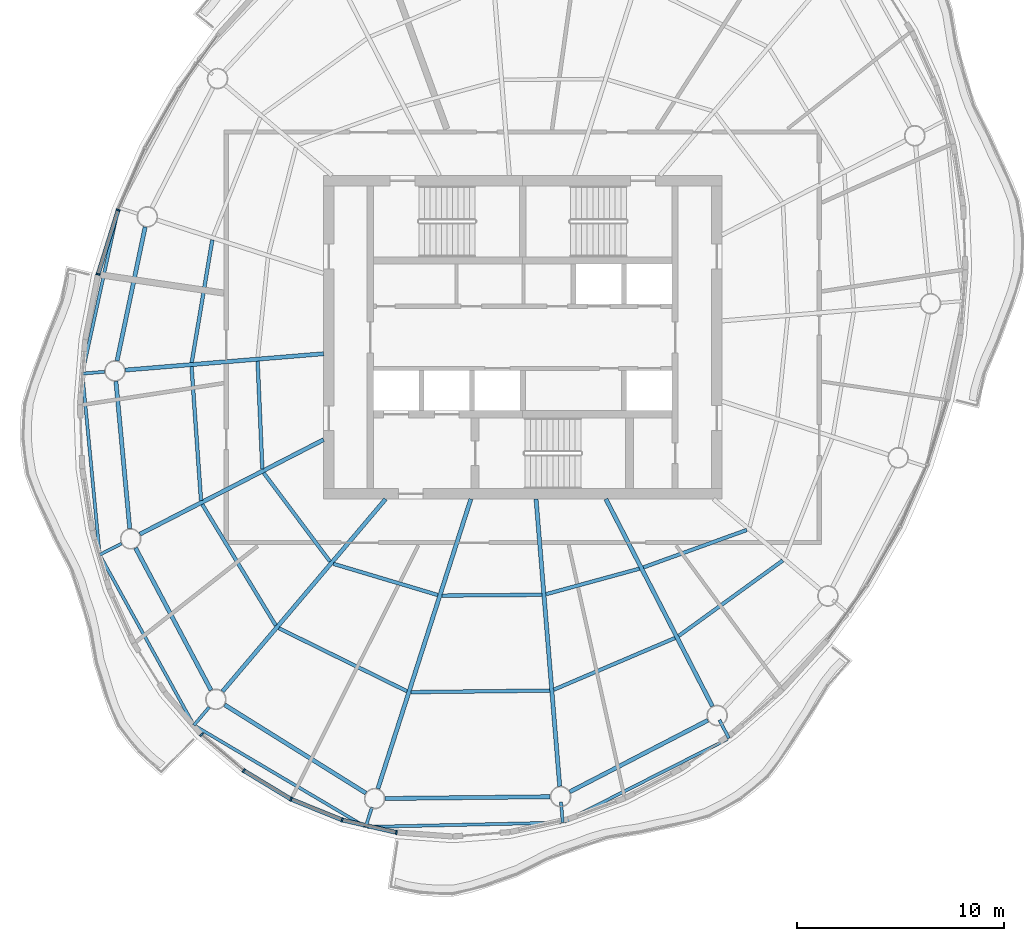
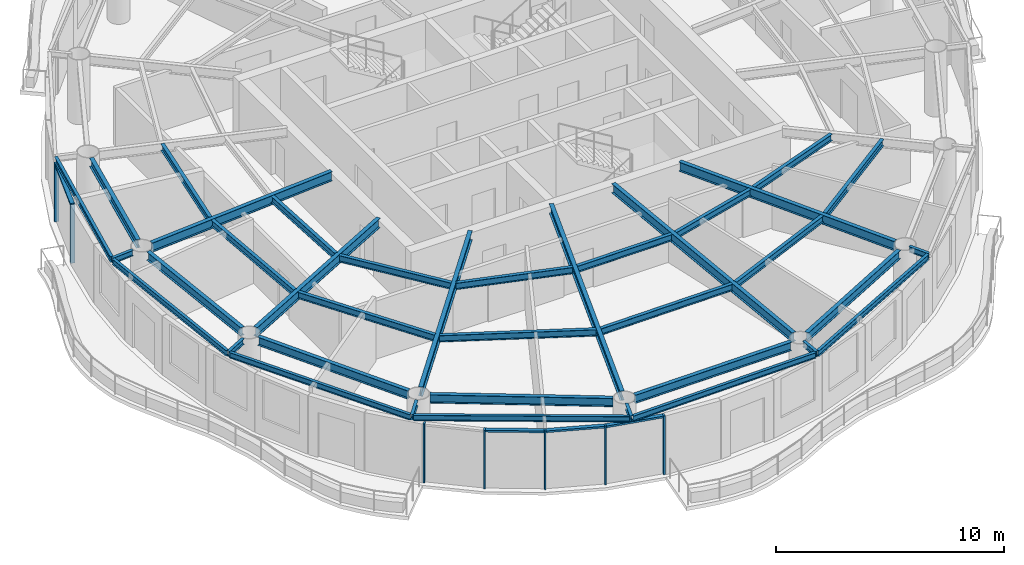
# One storey, part 2 of 13: 37 beams, 11 members, 5 elements without a shape of their own.
"""IFC4 building model written with IfcOpenShell, lengths in metres."""

from ifc_helpers import new_model, si_unit, direction, frame, origin, origin_2d, place, context, subcontext, project, spatial, rectangle, i_section, extrude, material, material_profile, profile_set, type_object, element, aggregate, save


model = new_model("IFC4")

# Units and contexts
model_context = context("Model", 3, precision=1e-05, world=origin(), true_north=direction((0.0, 1.0)))
body_context = subcontext(model_context, "Body", "Model", "MODEL_VIEW")
ifc_project = project(units=[si_unit("LENGTHUNIT", "METRE"), si_unit("AREAUNIT", "SQUARE_METRE"), si_unit("VOLUMEUNIT", "CUBIC_METRE"), si_unit("PLANEANGLEUNIT", "RADIAN"), si_unit("MASSUNIT", "GRAM", prefix="KILO")], contexts=[model_context])

# Site, building, storey
site_placement = place(None, origin())
site = spatial("IfcSite", under=ifc_project, at=site_placement, CompositionType="ELEMENT")
building_placement = place(site_placement, origin())
building = spatial("IfcBuilding", under=site, at=building_placement, Name="Vermilion Reach Broadcast Tower", CompositionType="ELEMENT")
storey_placement = place(building_placement, frame((0.0, 0.0, 286.5)))
storey = spatial("IfcBuildingStorey", under=building, at=storey_placement, Name="L71", CompositionType="ELEMENT", Elevation=286.5)

# Beams
ifc_material_1 = material(Name="Steel S355J2", Category="steel")
ifc_material_profile_1 = material_profile(ifc_material_1, i_section(OverallWidth=0.14990234375, OverallDepth=0.300048828125, WebThickness=0.006591796875, FlangeThickness=0.009033203125, at=origin_2d()), Name="S355J2 HN 300x150x6.5x9")
ifc_profile_set_1 = profile_set([ifc_material_profile_1], Name="Steel S355J2")
beam_type_1 = type_object("IfcBeamType", Name="EB5 HN 300x150x6.5x9", PredefinedType="BEAM", material=ifc_profile_set_1)
beam_1_placement = place(storey_placement, frame((-25.51171875, 6.18212890625, 3.300048828125), z_axis=(-0.21241325285, -0.977179927144, 0.0), x_axis=(0.977179927144, -0.21241325285, 0.0)))
element("IfcBeam", 1, at=beam_1_placement, inside=storey, type_object=beam_type_1, Name="Edge beam EB5-05", PredefinedType="BEAM", context=body_context, shape_type="SweptSolid", body=[
    extrude(i_section(OverallWidth=0.14990234375, OverallDepth=0.300048828125, WebThickness=0.006591796875, FlangeThickness=0.009033203125, at=origin_2d()), origin(), (0.0, 0.0, 1.0), 8.03857421875),
])
beam_2_placement = place(storey_placement, frame((-27.228759765625, -1.82421875, 3.300048828125), z_axis=(0.094917299259, -0.995485161266, 0.0), x_axis=(0.995485161266, 0.094917299259, 0.0)))
element("IfcBeam", 2, at=beam_2_placement, inside=storey, type_object=beam_type_1, Name="Edge beam EB5-06", PredefinedType="BEAM", context=body_context, shape_type="SweptSolid", body=[
    extrude(i_section(OverallWidth=0.14990234375, OverallDepth=0.300048828125, WebThickness=0.006591796875, FlangeThickness=0.009033203125, at=origin_2d()), origin(), (0.0, 0.0, 1.0), 8.624267578125),
])
beam_3_placement = place(storey_placement, frame((-26.3662109375, -10.5556640625, 3.300048828125), z_axis=(0.483780975523, -0.875189103978, 0.0), x_axis=(0.875189103978, 0.483780975523, 0.0)))
element("IfcBeam", 3, at=beam_3_placement, inside=storey, type_object=beam_type_1, Name="Edge beam EB5-07", PredefinedType="BEAM", context=body_context, shape_type="SweptSolid", body=[
    extrude(i_section(OverallWidth=0.14990234375, OverallDepth=0.300048828125, WebThickness=0.006591796875, FlangeThickness=0.009033203125, at=origin_2d()), origin(), (0.0, 0.0, 1.0), 9.234619140625),
])
beam_4_placement = place(storey_placement, frame((-21.79443359375, -18.74658203125, 3.300048828125), z_axis=(0.860491146518, -0.509465393097, 0.0), x_axis=(0.509465393097, 0.860491146518, 0.0)))
element("IfcBeam", 4, at=beam_4_placement, inside=storey, type_object=beam_type_1, Name="Edge beam EB5-08", PredefinedType="BEAM", context=body_context, shape_type="SweptSolid", body=[
    extrude(i_section(OverallWidth=0.14990234375, OverallDepth=0.300048828125, WebThickness=0.006591796875, FlangeThickness=0.009033203125, at=origin_2d()), origin(), (0.0, 0.0, 1.0), 9.473388671875),
])
beam_5_placement = place(storey_placement, frame((-13.4970703125, -23.6103515625, 3.300048828125), z_axis=(0.999756106831, 0.022084538785, 0.0), x_axis=(-0.022084538785, 0.999756106831, 0.0)))
element("IfcBeam", 5, at=beam_5_placement, inside=storey, type_object=beam_type_1, Name="Edge beam EB5-09", PredefinedType="BEAM", context=body_context, shape_type="SweptSolid", body=[
    extrude(i_section(OverallWidth=0.14990234375, OverallDepth=0.300048828125, WebThickness=0.006591796875, FlangeThickness=0.009033203125, at=origin_2d()), origin(), (0.0, 0.0, 1.0), 9.352294921875),
])
beam_6_placement = place(storey_placement, frame((-3.999755859375, -23.365478515625, 3.300048828125), z_axis=(0.892020021108, 0.451995887086, 0.0), x_axis=(-0.451995887086, 0.892020021108, 0.0)))
element("IfcBeam", 6, at=beam_6_placement, inside=storey, type_object=beam_type_1, Name="Edge beam EB5-10", PredefinedType="BEAM", context=body_context, shape_type="SweptSolid", body=[
    extrude(i_section(OverallWidth=0.14990234375, OverallDepth=0.300048828125, WebThickness=0.006591796875, FlangeThickness=0.009033203125, at=origin_2d()), origin(), (0.0, 0.0, 1.0), 8.830078125),
])
ifc_material_2 = material(Name="Steel S355J2", Category="steel")
ifc_material_profile_2 = material_profile(ifc_material_2, i_section(OverallWidth=0.199951171875, OverallDepth=0.5, WebThickness=0.010009765625, FlangeThickness=0.01611328125, at=origin_2d()), Name="S355J2 HN 500x200x10x16")
ifc_profile_set_2 = profile_set([ifc_material_profile_2], Name="Steel S355J2")
beam_type_2 = type_object("IfcBeamType", Name="G5 HN 500x200x10x16", PredefinedType="BEAM", material=ifc_profile_set_2)
beam_7_placement = place(storey_placement, frame((-15.60009765625, -0.791015625, 3.199951171875), z_axis=(-0.996624410075, -0.082096195058, 0.0), x_axis=(0.082096195058, -0.996624410075, 0.0)))
element("IfcBeam", 7, at=beam_7_placement, inside=storey, type_object=beam_type_2, Name="Girder G5-06", PredefinedType="BEAM", context=body_context, shape_type="SweptSolid", body=[
    extrude(i_section(OverallWidth=0.199951171875, OverallDepth=0.5, WebThickness=0.010009765625, FlangeThickness=0.01611328125, at=origin_2d()), origin(), (0.0, 0.0, 1.0), 9.599609375),
])
beam_8_placement = place(storey_placement, frame((-15.60009765625, -4.935791015625, 3.199951171875), z_axis=(-0.889332502449, -0.457261085254, 0.0), x_axis=(0.457261085254, -0.889332502449, 0.0)))
element("IfcBeam", 8, at=beam_8_placement, inside=storey, type_object=beam_type_2, Name="Girder G5-07", PredefinedType="BEAM", context=body_context, shape_type="SweptSolid", body=[
    extrude(i_section(OverallWidth=0.199951171875, OverallDepth=0.5, WebThickness=0.010009765625, FlangeThickness=0.01611328125, at=origin_2d()), origin(), (0.0, 0.0, 1.0), 9.96337890625),
])
beam_9_placement = place(storey_placement, frame((-12.612548828125, -7.800048828125, 3.199951171875), z_axis=(-0.646658335602, -0.762779782766, 0.0), x_axis=(0.762779782766, -0.646658335602, 0.0)))
element("IfcBeam", 9, at=beam_9_placement, inside=storey, type_object=beam_type_2, Name="Girder G5-08", PredefinedType="BEAM", context=body_context, shape_type="SweptSolid", body=[
    extrude(i_section(OverallWidth=0.199951171875, OverallDepth=0.5, WebThickness=0.010009765625, FlangeThickness=0.01611328125, at=origin_2d()), origin(), (0.0, 0.0, 1.0), 12.16064453125),
])
beam_10_placement = place(storey_placement, frame((-8.502685546875, -7.800048828125, 3.199951171875), z_axis=(-0.305545401295, -0.952177508528, 0.0), x_axis=(0.952177508528, -0.305545401295, 0.0)))
element("IfcBeam", 10, at=beam_10_placement, inside=storey, type_object=beam_type_2, Name="Girder G5-09", PredefinedType="BEAM", context=body_context, shape_type="SweptSolid", body=[
    extrude(i_section(OverallWidth=0.199951171875, OverallDepth=0.5, WebThickness=0.010009765625, FlangeThickness=0.01611328125, at=origin_2d()), origin(), (0.0, 0.0, 1.0), 14.672607421875),
])
beam_11_placement = place(storey_placement, frame((-5.357421875, -7.800048828125, 3.199951171875), z_axis=(0.082123744247, -0.996622140347, 0.0), x_axis=(0.996622140347, 0.082123744247, 0.0)))
element("IfcBeam", 11, at=beam_11_placement, inside=storey, type_object=beam_type_2, Name="Girder G5-10", PredefinedType="BEAM", context=body_context, shape_type="SweptSolid", body=[
    extrude(i_section(OverallWidth=0.199951171875, OverallDepth=0.5, WebThickness=0.010009765625, FlangeThickness=0.01611328125, at=origin_2d()), origin(), (0.0, 0.0, 1.0), 13.89794921875),
])
beam_12_placement = place(storey_placement, frame((-1.989501953125, -7.800048828125, 3.199951171875), z_axis=(0.457258168112, -0.889334002327, 0.0), x_axis=(0.889334002327, 0.457258168112, 0.0)))
element("IfcBeam", 12, at=beam_12_placement, inside=storey, type_object=beam_type_2, Name="Girder G5-11", PredefinedType="BEAM", context=body_context, shape_type="SweptSolid", body=[
    extrude(i_section(OverallWidth=0.199951171875, OverallDepth=0.5, WebThickness=0.010009765625, FlangeThickness=0.01611328125, at=origin_2d()), origin(), (0.0, 0.0, 1.0), 11.236328125),
])
ifc_material_3 = material(Name="Steel S355J2", Category="steel")
ifc_material_profile_3 = material_profile(ifc_material_3, i_section(OverallWidth=0.14990234375, OverallDepth=0.300048828125, WebThickness=0.006591796875, FlangeThickness=0.009033203125, at=origin_2d()), Name="S355J2 HN 300x150x6.5x9")
ifc_profile_set_3 = profile_set([ifc_material_profile_3], Name="Steel S355J2")
beam_type_3 = type_object("IfcBeamType", Name="GS5 HN 300x150x6.5x9", PredefinedType="BEAM", material=ifc_profile_set_3)
beam_13_placement = place(storey_placement, frame((-26.1640625, -1.661376953125, 3.300048828125), z_axis=(-0.996617403603, -0.082181207313, 0.0), x_axis=(0.082181207313, -0.996617403603, 0.0)))
element("IfcBeam", 13, at=beam_13_placement, inside=storey, type_object=beam_type_3, Name="Cantilever stub GS5-06", PredefinedType="BEAM", context=body_context, shape_type="SweptSolid", body=[
    extrude(i_section(OverallWidth=0.14990234375, OverallDepth=0.300048828125, WebThickness=0.006591796875, FlangeThickness=0.009033203125, at=origin_2d()), origin(), (0.0, 0.0, 1.0), 1.075439453125),
])
beam_14_placement = place(storey_placement, frame((-25.35009765625, -9.948974609375, 3.300048828125), z_axis=(-0.889378883648, -0.457170866658, 0.0), x_axis=(0.457170866658, -0.889378883648, 0.0)))
element("IfcBeam", 14, at=beam_14_placement, inside=storey, type_object=beam_type_3, Name="Cantilever stub GS5-07", PredefinedType="BEAM", context=body_context, shape_type="SweptSolid", body=[
    extrude(i_section(OverallWidth=0.14990234375, OverallDepth=0.300048828125, WebThickness=0.006591796875, FlangeThickness=0.009033203125, at=origin_2d()), origin(), (0.0, 0.0, 1.0), 1.183349609375),
])
beam_15_placement = place(storey_placement, frame((-21.123046875, -17.838623046875, 3.300048828125), z_axis=(-0.646547054525, -0.762874109067, 0.0), x_axis=(0.762874109067, -0.646547054525, 0.0)))
element("IfcBeam", 15, at=beam_15_placement, inside=storey, type_object=beam_type_3, Name="Cantilever stub GS5-08", PredefinedType="BEAM", context=body_context, shape_type="SweptSolid", body=[
    extrude(i_section(OverallWidth=0.14990234375, OverallDepth=0.300048828125, WebThickness=0.006591796875, FlangeThickness=0.009033203125, at=origin_2d()), origin(), (0.0, 0.0, 1.0), 1.1396484375),
])
for number, where, z_axis, x_axis, name in (
    (16, (-13.27099609375, -22.659912109375, 3.300048828125), (-0.305440085295, -0.952211297084, 0.0), (0.952211297084, -0.305440085295, 0.0), "Cantilever stub GS5-09"),
    (17, (-4.154052734375, -22.405517578125, 3.300048828125), (0.082277653912, -0.996609445905, 0.0), (0.996609445905, 0.082277653912, 0.0), "Cantilever stub GS5-10"),
    (18, (3.486572265625, -18.450927734375, 3.300048828125), (0.457243204998, -0.889341695572, 0.0), (0.889341695572, 0.457243204998, 0.0), "Cantilever stub GS5-11"),
):
    element("IfcBeam", number, at=place(storey_placement, frame(where, z_axis=z_axis, x_axis=x_axis)), inside=storey, type_object=beam_type_3, Name=name, PredefinedType="BEAM", context=body_context, shape_type="SweptSolid", body=[
        extrude(i_section(OverallWidth=0.14990234375, OverallDepth=0.300048828125, WebThickness=0.006591796875, FlangeThickness=0.009033203125, at=origin_2d()), origin(), (0.0, 0.0, 1.0), 1.0),
    ])
ifc_material_4 = material(Name="Steel S355J2", Category="steel")
ifc_material_profile_4 = material_profile(ifc_material_4, i_section(OverallWidth=0.199951171875, OverallDepth=0.449951171875, WebThickness=0.009033203125, FlangeThickness=0.013916015625, at=origin_2d()), Name="S355J2 HN 450x200x9x14")
ifc_profile_set_4 = profile_set([ifc_material_profile_4], Name="Steel S355J2")
beam_type_4 = type_object("IfcBeamType", Name="RB5 HN 450x200x9x14", PredefinedType="BEAM", material=ifc_profile_set_4)
beam_16_placement = place(storey_placement, frame((-24.208740234375, 5.3203125, 3.22509765625), z_axis=(-0.205444869285, -0.978668690459, 0.0), x_axis=(0.978668690459, -0.205444869285, 0.0)))
element("IfcBeam", 19, at=beam_16_placement, inside=storey, type_object=beam_type_4, Name="Ring beam RB5-05", PredefinedType="BEAM", context=body_context, shape_type="SweptSolid", body=[
    extrude(i_section(OverallWidth=0.199951171875, OverallDepth=0.449951171875, WebThickness=0.009033203125, FlangeThickness=0.013916015625, at=origin_2d()), origin(), (0.0, 0.0, 1.0), 6.591796875),
])
beam_17_placement = place(storey_placement, frame((-25.618896484375, -2.1181640625, 3.22509765625), z_axis=(0.093441399272, -0.995624781181, 0.0), x_axis=(0.995624781181, 0.093441399272, 0.0)))
element("IfcBeam", 20, at=beam_17_placement, inside=storey, type_object=beam_type_4, Name="Ring beam RB5-06", PredefinedType="BEAM", context=body_context, shape_type="SweptSolid", body=[
    extrude(i_section(OverallWidth=0.199951171875, OverallDepth=0.449951171875, WebThickness=0.009033203125, FlangeThickness=0.013916015625, at=origin_2d()), origin(), (0.0, 0.0, 1.0), 7.135498046875),
])
beam_18_placement = place(storey_placement, frame((-24.671142578125, -10.161865234375, 3.22509765625), z_axis=(0.468767917375, -0.883321368269, 0.0), x_axis=(0.883321368269, 0.468767917375, 0.0)))
element("IfcBeam", 21, at=beam_18_placement, inside=storey, type_object=beam_type_4, Name="Ring beam RB5-07", PredefinedType="BEAM", context=body_context, shape_type="SweptSolid", body=[
    extrude(i_section(OverallWidth=0.199951171875, OverallDepth=0.449951171875, WebThickness=0.009033203125, FlangeThickness=0.013916015625, at=origin_2d()), origin(), (0.0, 0.0, 1.0), 7.759033203125),
])
beam_19_placement = place(storey_placement, frame((-20.375732421875, -17.722412109375, 3.22509765625), z_axis=(0.847914653245, -0.530132757724, 0.0), x_axis=(0.530132757724, 0.847914653245, 0.0)))
element("IfcBeam", 22, at=beam_19_placement, inside=storey, type_object=beam_type_4, Name="Ring beam RB5-08", PredefinedType="BEAM", context=body_context, shape_type="SweptSolid", body=[
    extrude(i_section(OverallWidth=0.199951171875, OverallDepth=0.449951171875, WebThickness=0.009033203125, FlangeThickness=0.013916015625, at=origin_2d()), origin(), (0.0, 0.0, 1.0), 8.035400390625),
])
beam_20_placement = place(storey_placement, frame((-12.638427734375, -22.24169921875, 3.22509765625), z_axis=(0.999940445231, 0.010913569149, 0.0), x_axis=(-0.010913569149, 0.999940445231, 0.0)))
element("IfcBeam", 23, at=beam_20_placement, inside=storey, type_object=beam_type_4, Name="Ring beam RB5-09", PredefinedType="BEAM", context=body_context, shape_type="SweptSolid", body=[
    extrude(i_section(OverallWidth=0.199951171875, OverallDepth=0.449951171875, WebThickness=0.009033203125, FlangeThickness=0.013916015625, at=origin_2d()), origin(), (0.0, 0.0, 1.0), 7.9638671875),
])
beam_21_placement = place(storey_placement, frame((-3.731201171875, -21.91943359375, 3.22509765625), z_axis=(0.887960248279, 0.459920207729, 0.0), x_axis=(-0.459920207729, 0.887960248279, 0.0)))
element("IfcBeam", 24, at=beam_21_placement, inside=storey, type_object=beam_type_4, Name="Ring beam RB5-10", PredefinedType="BEAM", context=body_context, shape_type="SweptSolid", body=[
    extrude(i_section(OverallWidth=0.199951171875, OverallDepth=0.449951171875, WebThickness=0.009033203125, FlangeThickness=0.013916015625, at=origin_2d()), origin(), (0.0, 0.0, 1.0), 7.5048828125),
])
ifc_material_5 = material(Name="Steel S355J2", Category="steel")
ifc_material_profile_5 = material_profile(ifc_material_5, i_section(OverallWidth=0.175048828125, OverallDepth=0.35009765625, WebThickness=0.007080078125, FlangeThickness=0.010986328125, at=origin_2d()), Name="S355J2 HN 350x175x7x11")
ifc_profile_set_5 = profile_set([ifc_material_profile_5], Name="Steel S355J2")
beam_type_5 = type_object("IfcBeamType", Name="SB5 HN 350x175x7x11", PredefinedType="BEAM", material=ifc_profile_set_5)
beam_22_placement = place(storey_placement, frame((-20.969970703125, 4.698486328125, 3.27490234375), z_axis=(-0.16532337011, -0.986239414795, 0.0), x_axis=(0.986239414795, -0.16532337011, 0.0)))
element("IfcBeam", 25, at=beam_22_placement, inside=storey, type_object=beam_type_5, Name="Secondary beam SB5-05-2", PredefinedType="BEAM", context=body_context, shape_type="SweptSolid", body=[
    extrude(i_section(OverallWidth=0.175048828125, OverallDepth=0.35009765625, WebThickness=0.007080078125, FlangeThickness=0.010986328125, at=origin_2d()), origin(), (0.0, 0.0, 1.0), 5.99560546875),
])
beam_23_placement = place(storey_placement, frame((-18.78466796875, -1.153564453125, 3.27490234375), z_axis=(0.043557530017, -0.999050920413, 0.0), x_axis=(0.999050920413, 0.043557530017, 0.0)))
element("IfcBeam", 26, at=beam_23_placement, inside=storey, type_object=beam_type_5, Name="Secondary beam SB5-06-1", PredefinedType="BEAM", context=body_context, shape_type="SweptSolid", body=[
    extrude(i_section(OverallWidth=0.175048828125, OverallDepth=0.35009765625, WebThickness=0.007080078125, FlangeThickness=0.010986328125, at=origin_2d()), origin(), (0.0, 0.0, 1.0), 5.19580078125),
])
beam_24_placement = place(storey_placement, frame((-21.97119140625, -1.416259765625, 3.27490234375), z_axis=(0.070586780458, -0.997505642302, 0.0), x_axis=(0.997505642302, 0.070586780458, 0.0)))
element("IfcBeam", 27, at=beam_24_placement, inside=storey, type_object=beam_type_5, Name="Secondary beam SB5-06-2", PredefinedType="BEAM", context=body_context, shape_type="SweptSolid", body=[
    extrude(i_section(OverallWidth=0.175048828125, OverallDepth=0.35009765625, WebThickness=0.007080078125, FlangeThickness=0.010986328125, at=origin_2d()), origin(), (0.0, 0.0, 1.0), 6.46435546875),
])
beam_25_placement = place(storey_placement, frame((-18.492919921875, -6.53564453125, 3.27490234375), z_axis=(0.599055582645, -0.800707442767, 0.0), x_axis=(0.800707442767, 0.599055582645, 0.0)))
element("IfcBeam", 28, at=beam_25_placement, inside=storey, type_object=beam_type_5, Name="Secondary beam SB5-07-1", PredefinedType="BEAM", context=body_context, shape_type="SweptSolid", body=[
    extrude(i_section(OverallWidth=0.175048828125, OverallDepth=0.35009765625, WebThickness=0.007080078125, FlangeThickness=0.010986328125, at=origin_2d()), origin(), (0.0, 0.0, 1.0), 5.337890625),
])
beam_26_placement = place(storey_placement, frame((-21.455078125, -8.058837890625, 3.27490234375), z_axis=(0.519272962556, -0.854608442714, 0.0), x_axis=(0.854608442714, 0.519272962556, 0.0)))
element("IfcBeam", 29, at=beam_26_placement, inside=storey, type_object=beam_type_5, Name="Secondary beam SB5-07-2", PredefinedType="BEAM", context=body_context, shape_type="SweptSolid", body=[
    extrude(i_section(OverallWidth=0.175048828125, OverallDepth=0.35009765625, WebThickness=0.007080078125, FlangeThickness=0.010986328125, at=origin_2d()), origin(), (0.0, 0.0, 1.0), 6.82763671875),
])
beam_27_placement = place(storey_placement, frame((-15.129150390625, -10.92333984375, 3.27490234375), z_axis=(0.958124906971, -0.286350593925, 0.0), x_axis=(0.286350593925, 0.958124906971, 0.0)))
element("IfcBeam", 30, at=beam_27_placement, inside=storey, type_object=beam_type_5, Name="Secondary beam SB5-08-1", PredefinedType="BEAM", context=body_context, shape_type="SweptSolid", body=[
    extrude(i_section(OverallWidth=0.175048828125, OverallDepth=0.35009765625, WebThickness=0.007080078125, FlangeThickness=0.010986328125, at=origin_2d()), origin(), (0.0, 0.0, 1.0), 5.25634765625),
])
beam_28_placement = place(storey_placement, frame((-17.762451171875, -14.029541015625, 3.27490234375), z_axis=(0.897335928087, -0.441348198325, 0.0), x_axis=(0.441348198325, 0.897335928087, 0.0)))
element("IfcBeam", 31, at=beam_28_placement, inside=storey, type_object=beam_type_5, Name="Secondary beam SB5-08-2", PredefinedType="BEAM", context=body_context, shape_type="SweptSolid", body=[
    extrude(i_section(OverallWidth=0.175048828125, OverallDepth=0.35009765625, WebThickness=0.007080078125, FlangeThickness=0.010986328125, at=origin_2d()), origin(), (0.0, 0.0, 1.0), 6.887451171875),
])
beam_29_placement = place(storey_placement, frame((-9.891845703125, -12.4560546875, 3.27490234375), z_axis=(0.999968312294, 0.007960804474, 0.0), x_axis=(-0.007960804474, 0.999968312294, 0.0)))
element("IfcBeam", 32, at=beam_29_placement, inside=storey, type_object=beam_type_5, Name="Secondary beam SB5-09-1", PredefinedType="BEAM", context=body_context, shape_type="SweptSolid", body=[
    extrude(i_section(OverallWidth=0.175048828125, OverallDepth=0.35009765625, WebThickness=0.007080078125, FlangeThickness=0.010986328125, at=origin_2d()), origin(), (0.0, 0.0, 1.0), 4.81494140625),
])
beam_30_placement = place(storey_placement, frame((-11.385986328125, -17.11279296875, 3.27490234375), z_axis=(0.999932654133, 0.011605481368, 0.0), x_axis=(-0.011605481368, 0.999932654133, 0.0)))
element("IfcBeam", 33, at=beam_30_placement, inside=storey, type_object=beam_type_5, Name="Secondary beam SB5-09-2", PredefinedType="BEAM", context=body_context, shape_type="SweptSolid", body=[
    extrude(i_section(OverallWidth=0.175048828125, OverallDepth=0.35009765625, WebThickness=0.007080078125, FlangeThickness=0.010986328125, at=origin_2d()), origin(), (0.0, 0.0, 1.0), 6.689697265625),
])
beam_31_placement = place(storey_placement, frame((-4.87890625, -12.39013671875, 3.27490234375), z_axis=(0.964547496851, 0.263909314573, 0.0), x_axis=(-0.263909314573, 0.964547496851, 0.0)))
element("IfcBeam", 34, at=beam_31_placement, inside=storey, type_object=beam_type_5, Name="Secondary beam SB5-10-1", PredefinedType="BEAM", context=body_context, shape_type="SweptSolid", body=[
    extrude(i_section(OverallWidth=0.175048828125, OverallDepth=0.35009765625, WebThickness=0.007080078125, FlangeThickness=0.010986328125, at=origin_2d()), origin(), (0.0, 0.0, 1.0), 4.6689453125),
])
beam_32_placement = place(storey_placement, frame((-4.49951171875, -16.99267578125, 3.27490234375), z_axis=(0.919880986172, 0.392197617637, 0.0), x_axis=(-0.392197617637, 0.919880986172, 0.0)))
element("IfcBeam", 35, at=beam_32_placement, inside=storey, type_object=beam_type_5, Name="Secondary beam SB5-10-2", PredefinedType="BEAM", context=body_context, shape_type="SweptSolid", body=[
    extrude(i_section(OverallWidth=0.175048828125, OverallDepth=0.35009765625, WebThickness=0.007080078125, FlangeThickness=0.010986328125, at=origin_2d()), origin(), (0.0, 0.0, 1.0), 6.351806640625),
])
beam_33_placement = place(storey_placement, frame((-0.18212890625, -11.0966796875, 3.27490234375), z_axis=(0.940220108875, 0.340567389613, 0.0), x_axis=(-0.340567389613, 0.940220108875, 0.0)))
element("IfcBeam", 36, at=beam_33_placement, inside=storey, type_object=beam_type_5, Name="Secondary beam SB5-11-1", PredefinedType="BEAM", context=body_context, shape_type="SweptSolid", body=[
    extrude(i_section(OverallWidth=0.175048828125, OverallDepth=0.35009765625, WebThickness=0.007080078125, FlangeThickness=0.010986328125, at=origin_2d()), origin(), (0.0, 0.0, 1.0), 5.303466796875),
])
beam_34_placement = place(storey_placement, frame((1.517578125, -14.402587890625, 3.27490234375), z_axis=(0.809771251518, 0.586745703192, 0.0), x_axis=(-0.586745703192, 0.809771251518, 0.0)))
element("IfcBeam", 37, at=beam_34_placement, inside=storey, type_object=beam_type_5, Name="Secondary beam SB5-11-2", PredefinedType="BEAM", context=body_context, shape_type="SweptSolid", body=[
    extrude(i_section(OverallWidth=0.175048828125, OverallDepth=0.35009765625, WebThickness=0.007080078125, FlangeThickness=0.010986328125, at=origin_2d()), origin(), (0.0, 0.0, 1.0), 6.20361328125),
])

# Curtain wall, members
ifc_material_6 = material(Name="Low-e laminated clear glass in aluminium frame", Category="aluminium")
curtain_wall_type = type_object("IfcCurtainWallType", Name="Slot curtain wall", PredefinedType="NOTDEFINED", material=ifc_material_6)
placement = place(storey_placement, origin())
curtain_wall_1 = element("IfcCurtainWall", 38, at=placement, inside=storey, type_object=curtain_wall_type, Name="Slot curtain wall L71 13", PredefinedType="NOTDEFINED")
ifc_material_7 = material(Name="Anodised aluminium", Category="aluminium")
ifc_material_profile_6 = material_profile(ifc_material_7, rectangle(XDim=0.199951171875, YDim=0.080078125, at=origin_2d()), Name="Slot mullion 80 x 200")
ifc_profile_set_6 = profile_set([ifc_material_profile_6], Name="Anodised aluminium")
member_type_1 = type_object("IfcMemberType", Name="Slot mullion 80 x 200", PredefinedType="MULLION", material=ifc_profile_set_6)
member_1_placement = place(storey_placement, frame((-25.510009765625, 6.139892578125, 0.0), z_axis=(0.0, 0.0, 1.0), x_axis=(0.936830533006, -0.349783579415, 0.0)))
member_1 = element("IfcMember", 39, at=member_1_placement, type_object=member_type_1, Name="Slot mullion L71 13", PredefinedType="MULLION", context=body_context, shape_type="SweptSolid", body=[
    extrude(rectangle(XDim=0.199951171875, YDim=0.080078125, at=origin_2d()), origin(), (0.0, 0.0, 1.0), 3.14990234375),
])
member_2_placement = place(storey_placement, frame((-26.479736328125, 3.04248046875, 0.0), z_axis=(0.0, 0.0, 1.0), x_axis=(0.969278075736, -0.245967501709, 0.0)))
member_2 = element("IfcMember", 40, at=member_2_placement, type_object=member_type_1, Name="Slot mullion L71 14", PredefinedType="MULLION", context=body_context, shape_type="SweptSolid", body=[
    extrude(rectangle(XDim=0.199951171875, YDim=0.080078125, at=origin_2d()), origin(), (0.0, 0.0, 1.0), 3.14990234375),
])

# Curtain wall, member
curtain_wall_2 = element("IfcCurtainWall", 41, at=placement, inside=storey, type_object=curtain_wall_type, Name="Slot curtain wall L71 22", PredefinedType="NOTDEFINED")
member_3_placement = place(storey_placement, frame((-21.4931640625, -19.163818359375, 0.0), z_axis=(0.0, 0.0, 1.0), x_axis=(0.703562105428, 0.71063377615, 0.0)))
member_3 = element("IfcMember", 42, at=member_3_placement, type_object=member_type_1, Name="Slot mullion L71 22", PredefinedType="MULLION", context=body_context, shape_type="SweptSolid", body=[
    extrude(rectangle(XDim=0.199951171875, YDim=0.080078125, at=origin_2d()), origin(), (0.0, 0.0, 1.0), 3.14990234375),
])
aggregate(curtain_wall_2, [member_3])

curtain_wall_3 = element("IfcCurtainWall", 43, at=placement, inside=storey, type_object=curtain_wall_type, Name="Slot curtain wall L71 23", PredefinedType="NOTDEFINED")
member_4_placement = place(storey_placement, frame((-19.44775390625, -20.8974609375, 0.0), z_axis=(0.0, 0.0, 1.0), x_axis=(0.58423425323, 0.811585077088, 0.0)))
member_4 = element("IfcMember", 44, at=member_4_placement, type_object=member_type_1, Name="Slot mullion L71 23", PredefinedType="MULLION", context=body_context, shape_type="SweptSolid", body=[
    extrude(rectangle(XDim=0.199951171875, YDim=0.080078125, at=origin_2d()), origin(), (0.0, 0.0, 1.0), 3.14990234375),
])

curtain_wall_4 = element("IfcCurtainWall", 45, at=placement, inside=storey, type_object=curtain_wall_type, Name="Slot curtain wall L71 24", PredefinedType="NOTDEFINED")
member_5_placement = place(storey_placement, frame((-17.174072265625, -22.275146484375, 0.0), z_axis=(0.0, 0.0, 1.0), x_axis=(0.448383177697, 0.89384144341, 0.0)))
member_5 = element("IfcMember", 46, at=member_5_placement, type_object=member_type_1, Name="Slot mullion L71 24", PredefinedType="MULLION", context=body_context, shape_type="SweptSolid", body=[
    extrude(rectangle(XDim=0.199951171875, YDim=0.080078125, at=origin_2d()), origin(), (0.0, 0.0, 1.0), 3.14990234375),
])

# Curtain wall, members
curtain_wall_5 = element("IfcCurtainWall", 47, at=placement, inside=storey, type_object=curtain_wall_type, Name="Slot curtain wall L71 25", PredefinedType="NOTDEFINED")
member_6_placement = place(storey_placement, frame((-14.710205078125, -23.27392578125, 0.0), z_axis=(0.0, 0.0, 1.0), x_axis=(0.301223233776, 0.953553650003, 0.0)))
member_6 = element("IfcMember", 48, at=member_6_placement, type_object=member_type_1, Name="Slot mullion L71 25", PredefinedType="MULLION", context=body_context, shape_type="SweptSolid", body=[
    extrude(rectangle(XDim=0.199951171875, YDim=0.080078125, at=origin_2d()), origin(), (0.0, 0.0, 1.0), 3.14990234375),
])
member_7_placement = place(storey_placement, frame((-12.09765625, -23.876953125, 0.0), z_axis=(0.0, 0.0, 1.0), x_axis=(0.1489572903, 0.988843630543, 0.0)))
member_7 = element("IfcMember", 49, at=member_7_placement, type_object=member_type_1, Name="Slot mullion L71 26", PredefinedType="MULLION", context=body_context, shape_type="SweptSolid", body=[
    extrude(rectangle(XDim=0.199951171875, YDim=0.080078125, at=origin_2d()), origin(), (0.0, 0.0, 1.0), 3.14990234375),
])

# Member
ifc_material_8 = material(Name="Anodised aluminium", Category="aluminium")
ifc_material_profile_7 = material_profile(ifc_material_8, rectangle(XDim=0.199951171875, YDim=0.10009765625, at=origin_2d()), Name="Slot transom 200 x 100")
ifc_profile_set_7 = profile_set([ifc_material_profile_7], Name="Anodised aluminium")
member_type_2 = type_object("IfcMemberType", Name="Slot transom 200 x 100", PredefinedType="USERDEFINED", material=ifc_profile_set_7)
member_8_placement = place(storey_placement, frame((-25.52197265625, 6.101806640625, 3.10009765625), z_axis=(-0.298753578741, -0.954330288312, 0.0), x_axis=(0.954330288312, -0.298753578741, 0.0)))
member_8 = element("IfcMember", 50, at=member_8_placement, type_object=member_type_2, Name="Slot transom L71 13.1", ObjectType="TRANSOM", PredefinedType="USERDEFINED", context=body_context, shape_type="SweptSolid", body=[
    extrude(rectangle(XDim=0.199951171875, YDim=0.10009765625, at=origin_2d()), origin(), (0.0, 0.0, 1.0), 3.165771484375),
])

aggregate(curtain_wall_1, [member_1, member_2, member_8])

member_9_placement = place(storey_placement, frame((-19.41357421875, -20.918212890625, 3.10009765625), z_axis=(0.855262684267, -0.51819469401, 0.0), x_axis=(0.51819469401, 0.855262684267, 0.0)))
member_9 = element("IfcMember", 51, at=member_9_placement, type_object=member_type_2, Name="Slot transom L71 23.1", ObjectType="TRANSOM", PredefinedType="USERDEFINED", context=body_context, shape_type="SweptSolid", body=[
    extrude(rectangle(XDim=0.199951171875, YDim=0.10009765625, at=origin_2d()), origin(), (0.0, 0.0, 1.0), 2.57861328125),
])

aggregate(curtain_wall_3, [member_4, member_9])

member_10_placement = place(storey_placement, frame((-17.136962890625, -22.290283203125, 3.10009765625), z_axis=(0.926775795344, -0.375614995927, 0.0), x_axis=(0.375614995927, 0.926775795344, 0.0)))
member_10 = element("IfcMember", 52, at=member_10_placement, type_object=member_type_2, Name="Slot transom L71 24.1", ObjectType="TRANSOM", PredefinedType="USERDEFINED", context=body_context, shape_type="SweptSolid", body=[
    extrude(rectangle(XDim=0.199951171875, YDim=0.10009765625, at=origin_2d()), origin(), (0.0, 0.0, 1.0), 2.578369140625),
])

aggregate(curtain_wall_4, [member_5, member_10])

member_11_placement = place(storey_placement, frame((-14.67138671875, -23.282958984375, 3.10009765625), z_axis=(0.974392777328, -0.224852652844, 0.0), x_axis=(0.224852652844, 0.974392777328, 0.0)))
member_11 = element("IfcMember", 53, at=member_11_placement, type_object=member_type_2, Name="Slot transom L71 25.1", ObjectType="TRANSOM", PredefinedType="USERDEFINED", context=body_context, shape_type="SweptSolid", body=[
    extrude(rectangle(XDim=0.199951171875, YDim=0.10009765625, at=origin_2d()), origin(), (0.0, 0.0, 1.0), 2.6015625),
])

aggregate(curtain_wall_5, [member_6, member_7, member_11])

save(model, "model.ifc")
